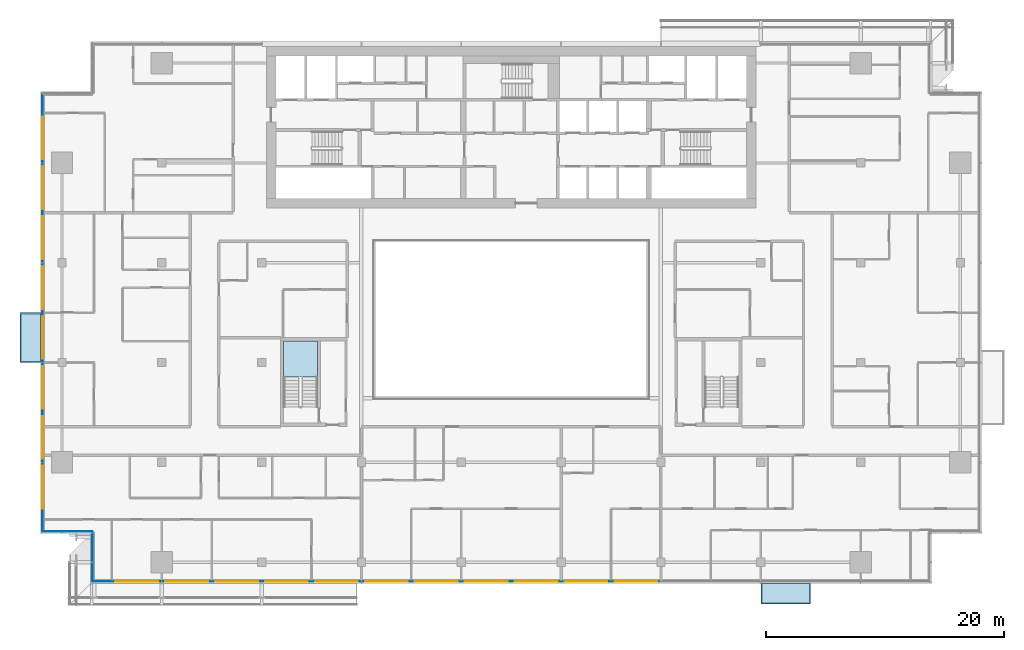
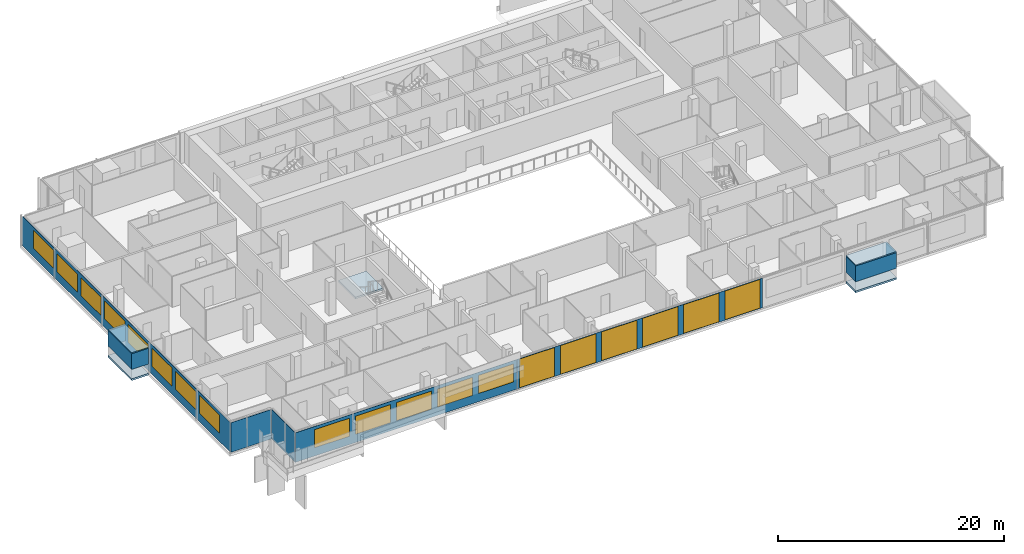
# One storey, part 14 of 30: 19 windows, 9 plates, 3 slabs, 19 openings, 5 elements without a shape of their own.
"""IFC4 building model written with IfcOpenShell, lengths in metres."""

from ifc_helpers import new_model, si_unit, direction, frame, frame_2d, origin, place, context, subcontext, project, spatial, polyline, rectangle, outline, extrude, material, layer, layer_set, type_object, element, fill, aggregate, save


model = new_model("IFC4")

# Units and contexts
model_context = context("Model", 3, precision=1e-05, world=origin(), true_north=direction((0.0, 1.0)))
body_context = subcontext(model_context, "Body", "Model", "MODEL_VIEW")
ifc_project = project(units=[si_unit("LENGTHUNIT", "METRE"), si_unit("AREAUNIT", "SQUARE_METRE"), si_unit("VOLUMEUNIT", "CUBIC_METRE"), si_unit("PLANEANGLEUNIT", "RADIAN"), si_unit("MASSUNIT", "GRAM", prefix="KILO")], contexts=[model_context])

# Site, building, storey
site_placement = place(None, origin())
site = spatial("IfcSite", under=ifc_project, at=site_placement, CompositionType="ELEMENT")
building_placement = place(site_placement, origin())
building = spatial("IfcBuilding", under=site, at=building_placement, Name="Saffron Gate Tower", CompositionType="ELEMENT")
storey_placement = place(building_placement, frame((0.0, 0.0, 169.050048828125)))
storey = spatial("IfcBuildingStorey", under=building, at=storey_placement, Name="L41", CompositionType="ELEMENT", Elevation=169.050048828125)

# Curtain wall, plates, openings, windows
ifc_material_1 = material(Name="Aluminium, bronze anodised", Category="aluminium")
curtain_wall_type_1 = type_object("IfcCurtainWallType", Name="CWS1 curtain wall front facade", PredefinedType="NOTDEFINED", material=ifc_material_1)
curtain_wall_1_placement = place(storey_placement, origin())
curtain_wall_1 = element("IfcCurtainWall", 1, at=curtain_wall_1_placement, inside=storey, type_object=curtain_wall_type_1, Name="CWS1 run 1", PredefinedType="NOTDEFINED")
ifc_material_2 = material(Name="Clear low-iron laminated glass", Category="glass")
ifc_layer_1 = layer(ifc_material_2, 0.028076171875)
ifc_layer_set_1 = layer_set([ifc_layer_1], Name="CWS1 clear glass")
plate_type_1 = type_object("IfcPlateType", Name="CWS1 clear glass", PredefinedType="CURTAIN_PANEL", material=ifc_layer_set_1)
plate_1_placement = place(storey_placement, frame((75.030029296875, 30.174072265625, 0.0), z_axis=(0.0, 0.0, 1.0), x_axis=(1.0, 0.0, 0.0)))
plate_1 = element("IfcPlate", 2, at=plate_1_placement, type_object=plate_type_1, Name="CWS1 clear glass panel", PredefinedType="CURTAIN_PANEL", context=body_context, shape_type="SweptSolid", body=[
    extrude(rectangle(XDim=25.139892578125, YDim=0.028076171875, at=frame_2d((12.56982421875, 0.0))), origin(), (0.0, 0.0, 1.0), 3.199951171875),
])
opening_1_placement = place(plate_1_placement, frame((0.27001953125, 0.0, 0.050048828125)))
opening_1 = element("IfcOpeningElement", 3, at=opening_1_placement, cuts=plate_1, Name="Opening WA", PredefinedType="OPENING", context=body_context, shape_type="SweptSolid", body=[
    extrude(rectangle(XDim=3.60009765625, YDim=3.10009765625, at=frame_2d((1.800048828125, 1.550048828125))), frame((0.0, 0.02392578125, 0.0), z_axis=(0.0, -1.0, 0.0), x_axis=(1.0, 0.0, 0.0)), (0.0, 0.0, 1.0), 0.048095703125),
])
opening_2_placement = place(plate_1_placement, frame((4.469970703125, 0.0, 0.050048828125)))
opening_2 = element("IfcOpeningElement", 4, at=opening_2_placement, cuts=plate_1, Name="Opening WA", PredefinedType="OPENING", context=body_context, shape_type="SweptSolid", body=[
    extrude(rectangle(XDim=3.60009765625, YDim=3.10009765625, at=frame_2d((1.800048828125, 1.550048828125))), frame((0.0, 0.02392578125, 0.0), z_axis=(0.0, -1.0, 0.0), x_axis=(1.0, 0.0, 0.0)), (0.0, 0.0, 1.0), 0.048095703125),
])
opening_3_placement = place(plate_1_placement, frame((8.669921875, 0.0, 0.050048828125)))
opening_3 = element("IfcOpeningElement", 5, at=opening_3_placement, cuts=plate_1, Name="Opening WA", PredefinedType="OPENING", context=body_context, shape_type="SweptSolid", body=[
    extrude(rectangle(XDim=3.60009765625, YDim=3.10009765625, at=frame_2d((1.800048828125, 1.550048828125))), frame((0.0, 0.02392578125, 0.0), z_axis=(0.0, -1.0, 0.0), x_axis=(1.0, 0.0, 0.0)), (0.0, 0.0, 1.0), 0.048095703125),
])
opening_4_placement = place(plate_1_placement, frame((12.8701171875, 0.0, 0.050048828125)))
opening_4 = element("IfcOpeningElement", 6, at=opening_4_placement, cuts=plate_1, Name="Opening WA", PredefinedType="OPENING", context=body_context, shape_type="SweptSolid", body=[
    extrude(rectangle(XDim=3.60009765625, YDim=3.10009765625, at=frame_2d((1.800048828125, 1.550048828125))), frame((0.0, 0.02392578125, 0.0), z_axis=(0.0, -1.0, 0.0), x_axis=(1.0, 0.0, 0.0)), (0.0, 0.0, 1.0), 0.048095703125),
])
opening_5_placement = place(plate_1_placement, frame((17.070068359375, 0.0, 0.050048828125)))
opening_5 = element("IfcOpeningElement", 7, at=opening_5_placement, cuts=plate_1, Name="Opening WA", PredefinedType="OPENING", context=body_context, shape_type="SweptSolid", body=[
    extrude(rectangle(XDim=3.60009765625, YDim=3.10009765625, at=frame_2d((1.800048828125, 1.550048828125))), frame((0.0, 0.02392578125, 0.0), z_axis=(0.0, -1.0, 0.0), x_axis=(1.0, 0.0, 0.0)), (0.0, 0.0, 1.0), 0.048095703125),
])
opening_6_placement = place(plate_1_placement, frame((21.27001953125, 0.0, 0.050048828125)))
opening_6 = element("IfcOpeningElement", 8, at=opening_6_placement, cuts=plate_1, Name="Opening WA", PredefinedType="OPENING", context=body_context, shape_type="SweptSolid", body=[
    extrude(rectangle(XDim=3.60009765625, YDim=3.10009765625, at=frame_2d((1.800048828125, 1.550048828125))), frame((0.0, 0.02392578125, 0.0), z_axis=(0.0, -1.0, 0.0), x_axis=(1.0, 0.0, 0.0)), (0.0, 0.0, 1.0), 0.048095703125),
])
ifc_material_3 = material(Name="Clear low-iron laminated glass in bronze frame", Category="glass")
ifc_layer_2 = layer(ifc_material_3, 0.06005859375)
ifc_layer_set_2 = layer_set([ifc_layer_2], Name="WA operable atrium unit 3600x3100")
window_type_1 = type_object("IfcWindowType", Name="WA operable atrium unit 3600x3100", PartitioningType="DOUBLE_PANEL_HORIZONTAL", PredefinedType="WINDOW", material=ifc_layer_set_2)
window_1_placement = place(opening_1_placement, origin())
window_1 = element("IfcWindow", 9, at=window_1_placement, type_object=window_type_1, Name="WA operable atrium unit", OverallHeight=3.10009765625, OverallWidth=3.60009765625, PartitioningType="SINGLE_PANEL", PredefinedType="WINDOW", context=body_context, shape_type="SweptSolid", body=[
    extrude(rectangle(XDim=3.60009765625, YDim=3.10009765625, at=frame_2d((1.800048828125, 1.550048828125))), frame((0.0, 0.013671875, 0.0), z_axis=(0.0, -1.0, 0.0), x_axis=(1.0, 0.0, 0.0)), (0.0, 0.0, 1.0), 0.027587890625),
])
fill(opening_1, window_1)
window_2_placement = place(opening_2_placement, origin())
window_2 = element("IfcWindow", 10, at=window_2_placement, type_object=window_type_1, Name="WA operable atrium unit", OverallHeight=3.10009765625, OverallWidth=3.60009765625, PartitioningType="SINGLE_PANEL", PredefinedType="WINDOW", context=body_context, shape_type="SweptSolid", body=[
    extrude(rectangle(XDim=3.60009765625, YDim=3.10009765625, at=frame_2d((1.800048828125, 1.550048828125))), frame((0.0, 0.013671875, 0.0), z_axis=(0.0, -1.0, 0.0), x_axis=(1.0, 0.0, 0.0)), (0.0, 0.0, 1.0), 0.027587890625),
])
fill(opening_2, window_2)
window_3_placement = place(opening_3_placement, origin())
window_3 = element("IfcWindow", 11, at=window_3_placement, type_object=window_type_1, Name="WA operable atrium unit", OverallHeight=3.10009765625, OverallWidth=3.60009765625, PartitioningType="SINGLE_PANEL", PredefinedType="WINDOW", context=body_context, shape_type="SweptSolid", body=[
    extrude(rectangle(XDim=3.60009765625, YDim=3.10009765625, at=frame_2d((1.800048828125, 1.550048828125))), frame((0.0, 0.013671875, 0.0), z_axis=(0.0, -1.0, 0.0), x_axis=(1.0, 0.0, 0.0)), (0.0, 0.0, 1.0), 0.027587890625),
])
fill(opening_3, window_3)
window_4_placement = place(opening_4_placement, origin())
window_4 = element("IfcWindow", 12, at=window_4_placement, type_object=window_type_1, Name="WA operable atrium unit", OverallHeight=3.10009765625, OverallWidth=3.60009765625, PartitioningType="SINGLE_PANEL", PredefinedType="WINDOW", context=body_context, shape_type="SweptSolid", body=[
    extrude(rectangle(XDim=3.60009765625, YDim=3.10009765625, at=frame_2d((1.800048828125, 1.550048828125))), frame((0.0, 0.013671875, 0.0), z_axis=(0.0, -1.0, 0.0), x_axis=(1.0, 0.0, 0.0)), (0.0, 0.0, 1.0), 0.027587890625),
])
fill(opening_4, window_4)
window_5_placement = place(opening_5_placement, origin())
window_5 = element("IfcWindow", 13, at=window_5_placement, type_object=window_type_1, Name="WA operable atrium unit", OverallHeight=3.10009765625, OverallWidth=3.60009765625, PartitioningType="SINGLE_PANEL", PredefinedType="WINDOW", context=body_context, shape_type="SweptSolid", body=[
    extrude(rectangle(XDim=3.60009765625, YDim=3.10009765625, at=frame_2d((1.800048828125, 1.550048828125))), frame((0.0, 0.013671875, 0.0), z_axis=(0.0, -1.0, 0.0), x_axis=(1.0, 0.0, 0.0)), (0.0, 0.0, 1.0), 0.027587890625),
])
fill(opening_5, window_5)
window_6_placement = place(opening_6_placement, origin())
window_6 = element("IfcWindow", 14, at=window_6_placement, type_object=window_type_1, Name="WA operable atrium unit", OverallHeight=3.10009765625, OverallWidth=3.60009765625, PartitioningType="SINGLE_PANEL", PredefinedType="WINDOW", context=body_context, shape_type="SweptSolid", body=[
    extrude(rectangle(XDim=3.60009765625, YDim=3.10009765625, at=frame_2d((1.800048828125, 1.550048828125))), frame((0.0, 0.013671875, 0.0), z_axis=(0.0, -1.0, 0.0), x_axis=(1.0, 0.0, 0.0)), (0.0, 0.0, 1.0), 0.027587890625),
])
fill(opening_6, window_6)
ifc_material_4 = material(Name="Fritted bronze-tinted laminated glass", Category="glass")
ifc_layer_3 = layer(ifc_material_4, 0.028076171875)
ifc_layer_set_3 = layer_set([ifc_layer_3], Name="CWS1 fixed glass")
plate_type_2 = type_object("IfcPlateType", Name="CWS1 fixed glass", PredefinedType="CURTAIN_PANEL", material=ifc_layer_set_3)
plate_2_placement = place(storey_placement, frame((52.387939453125, 30.174072265625, 0.0), z_axis=(0.0, 0.0, 1.0), x_axis=(1.0, 0.0, 0.0)))
plate_2 = element("IfcPlate", 15, at=plate_2_placement, type_object=plate_type_2, Name="CWS1 glass panel", PredefinedType="CURTAIN_PANEL", context=body_context, shape_type="SweptSolid", body=[
    extrude(rectangle(XDim=22.64208984375, YDim=0.028076171875, at=frame_2d((11.321044921875, 0.0))), origin(), (0.0, 0.0, 1.0), 3.199951171875),
])
opening_7_placement = place(plate_2_placement, frame((1.912109375, 0.0, 0.89990234375)))
opening_7 = element("IfcOpeningElement", 16, at=opening_7_placement, cuts=plate_2, Name="Opening W1", PredefinedType="OPENING", context=body_context, shape_type="SweptSolid", body=[
    extrude(rectangle(XDim=3.60009765625, YDim=1.949951171875, at=frame_2d((1.800048828125, 0.97509765625))), frame((0.0, 0.02392578125, 0.0), z_axis=(0.0, -1.0, 0.0), x_axis=(1.0, 0.0, 0.0)), (0.0, 0.0, 1.0), 0.048095703125),
])
opening_8_placement = place(plate_2_placement, frame((6.112060546875, 0.0, 0.89990234375)))
opening_8 = element("IfcOpeningElement", 17, at=opening_8_placement, cuts=plate_2, Name="Opening W1", PredefinedType="OPENING", context=body_context, shape_type="SweptSolid", body=[
    extrude(rectangle(XDim=3.60009765625, YDim=1.949951171875, at=frame_2d((1.800048828125, 0.97509765625))), frame((0.0, 0.02392578125, 0.0), z_axis=(0.0, -1.0, 0.0), x_axis=(1.0, 0.0, 0.0)), (0.0, 0.0, 1.0), 0.048095703125),
])
opening_9_placement = place(plate_2_placement, frame((10.31201171875, 0.0, 0.89990234375)))
opening_9 = element("IfcOpeningElement", 18, at=opening_9_placement, cuts=plate_2, Name="Opening W1", PredefinedType="OPENING", context=body_context, shape_type="SweptSolid", body=[
    extrude(rectangle(XDim=3.60009765625, YDim=1.949951171875, at=frame_2d((1.800048828125, 0.97509765625))), frame((0.0, 0.02392578125, 0.0), z_axis=(0.0, -1.0, 0.0), x_axis=(1.0, 0.0, 0.0)), (0.0, 0.0, 1.0), 0.048095703125),
])
opening_10_placement = place(plate_2_placement, frame((14.511962890625, 0.0, 0.89990234375)))
opening_10 = element("IfcOpeningElement", 19, at=opening_10_placement, cuts=plate_2, Name="Opening W1", PredefinedType="OPENING", context=body_context, shape_type="SweptSolid", body=[
    extrude(rectangle(XDim=3.60009765625, YDim=1.949951171875, at=frame_2d((1.800048828125, 0.97509765625))), frame((0.0, 0.02392578125, 0.0), z_axis=(0.0, -1.0, 0.0), x_axis=(1.0, 0.0, 0.0)), (0.0, 0.0, 1.0), 0.048095703125),
])
opening_11_placement = place(plate_2_placement, frame((18.7119140625, 0.0, 0.89990234375)))
opening_11 = element("IfcOpeningElement", 20, at=opening_11_placement, cuts=plate_2, Name="Opening W1", PredefinedType="OPENING", context=body_context, shape_type="SweptSolid", body=[
    extrude(rectangle(XDim=3.60009765625, YDim=1.949951171875, at=frame_2d((1.800048828125, 0.97509765625))), frame((0.0, 0.02392578125, 0.0), z_axis=(0.0, -1.0, 0.0), x_axis=(1.0, 0.0, 0.0)), (0.0, 0.0, 1.0), 0.048095703125),
])
ifc_material_5 = material(Name="Fritted bronze-tinted laminated glass in bronze frame", Category="glass")
ifc_layer_4 = layer(ifc_material_5, 0.06005859375)
ifc_layer_set_4 = layer_set([ifc_layer_4], Name="W1 operable panel 3600x1950")
window_type_2 = type_object("IfcWindowType", Name="W1 operable panel 3600x1950", PartitioningType="DOUBLE_PANEL_HORIZONTAL", PredefinedType="WINDOW", material=ifc_layer_set_4)
window_7_placement = place(opening_7_placement, origin())
window_7 = element("IfcWindow", 21, at=window_7_placement, type_object=window_type_2, Name="W1 operable panel", OverallHeight=1.949951171875, OverallWidth=3.60009765625, PartitioningType="SINGLE_PANEL", PredefinedType="WINDOW", context=body_context, shape_type="SweptSolid", body=[
    extrude(rectangle(XDim=3.60009765625, YDim=1.949951171875, at=frame_2d((1.800048828125, 0.97509765625))), frame((0.0, 0.013671875, 0.0), z_axis=(0.0, -1.0, 0.0), x_axis=(1.0, 0.0, 0.0)), (0.0, 0.0, 1.0), 0.027587890625),
])
fill(opening_7, window_7)
window_8_placement = place(opening_8_placement, origin())
window_8 = element("IfcWindow", 22, at=window_8_placement, type_object=window_type_2, Name="W1 operable panel", OverallHeight=1.949951171875, OverallWidth=3.60009765625, PartitioningType="SINGLE_PANEL", PredefinedType="WINDOW", context=body_context, shape_type="SweptSolid", body=[
    extrude(rectangle(XDim=3.60009765625, YDim=1.949951171875, at=frame_2d((1.800048828125, 0.97509765625))), frame((0.0, 0.013671875, 0.0), z_axis=(0.0, -1.0, 0.0), x_axis=(1.0, 0.0, 0.0)), (0.0, 0.0, 1.0), 0.027587890625),
])
fill(opening_8, window_8)
window_9_placement = place(opening_9_placement, origin())
window_9 = element("IfcWindow", 23, at=window_9_placement, type_object=window_type_2, Name="W1 operable panel", OverallHeight=1.949951171875, OverallWidth=3.60009765625, PartitioningType="SINGLE_PANEL", PredefinedType="WINDOW", context=body_context, shape_type="SweptSolid", body=[
    extrude(rectangle(XDim=3.60009765625, YDim=1.949951171875, at=frame_2d((1.800048828125, 0.97509765625))), frame((0.0, 0.013671875, 0.0), z_axis=(0.0, -1.0, 0.0), x_axis=(1.0, 0.0, 0.0)), (0.0, 0.0, 1.0), 0.027587890625),
])
fill(opening_9, window_9)
window_10_placement = place(opening_10_placement, origin())
window_10 = element("IfcWindow", 24, at=window_10_placement, type_object=window_type_2, Name="W1 operable panel", OverallHeight=1.949951171875, OverallWidth=3.60009765625, PartitioningType="SINGLE_PANEL", PredefinedType="WINDOW", context=body_context, shape_type="SweptSolid", body=[
    extrude(rectangle(XDim=3.60009765625, YDim=1.949951171875, at=frame_2d((1.800048828125, 0.97509765625))), frame((0.0, 0.013671875, 0.0), z_axis=(0.0, -1.0, 0.0), x_axis=(1.0, 0.0, 0.0)), (0.0, 0.0, 1.0), 0.027587890625),
])
fill(opening_10, window_10)
window_11_placement = place(opening_11_placement, origin())
window_11 = element("IfcWindow", 25, at=window_11_placement, type_object=window_type_2, Name="W1 operable panel", OverallHeight=1.949951171875, OverallWidth=3.60009765625, PartitioningType="SINGLE_PANEL", PredefinedType="WINDOW", context=body_context, shape_type="SweptSolid", body=[
    extrude(rectangle(XDim=3.60009765625, YDim=1.949951171875, at=frame_2d((1.800048828125, 0.97509765625))), frame((0.0, 0.013671875, 0.0), z_axis=(0.0, -1.0, 0.0), x_axis=(1.0, 0.0, 0.0)), (0.0, 0.0, 1.0), 0.027587890625),
])
fill(opening_11, window_11)
aggregate(curtain_wall_1, [plate_2, plate_1, window_7, window_8, window_9, window_10, window_11, window_1, window_2, window_3, window_4, window_5, window_6])

# Curtain wall, plate, openings, windows
curtain_wall_type_2 = type_object("IfcCurtainWallType", Name="CWS2 curtain wall side facades", PredefinedType="NOTDEFINED", material=ifc_material_1)
curtain_wall_2_placement = place(storey_placement, origin())
curtain_wall_2 = element("IfcCurtainWall", 26, at=curtain_wall_2_placement, inside=storey, type_object=curtain_wall_type_2, Name="CWS2 run 10", PredefinedType="NOTDEFINED")
ifc_layer_5 = layer(ifc_material_4, 0.028076171875)
ifc_layer_set_5 = layer_set([ifc_layer_5], Name="CWS2 fixed glass")
plate_type_3 = type_object("IfcPlateType", Name="CWS2 fixed glass", PredefinedType="CURTAIN_PANEL", material=ifc_layer_set_5)
plate_3_placement = place(storey_placement, frame((48.174072265625, 71.2119140625, 0.0), z_axis=(0.0, 0.0, 1.0), x_axis=(0.0, -1.0, 0.0)))
plate_3 = element("IfcPlate", 27, at=plate_3_placement, type_object=plate_type_3, Name="CWS2 glass panel", PredefinedType="CURTAIN_PANEL", context=body_context, shape_type="SweptSolid", body=[
    extrude(rectangle(XDim=36.823974609375, YDim=0.028076171875, at=frame_2d((18.412109375, 0.0))), origin(), (0.0, 0.0, 1.0), 3.199951171875),
])
opening_12_placement = place(plate_3_placement, frame((1.912109375, 0.0, 0.89990234375)))
opening_12 = element("IfcOpeningElement", 28, at=opening_12_placement, cuts=plate_3, Name="Opening W1", PredefinedType="OPENING", context=body_context, shape_type="SweptSolid", body=[
    extrude(rectangle(XDim=3.60009765625, YDim=1.949951171875, at=frame_2d((1.800048828125, 0.97509765625))), frame((0.0, 0.02392578125, 0.0), z_axis=(0.0, -1.0, 0.0), x_axis=(1.0, 0.0, 0.0)), (0.0, 0.0, 1.0), 0.048095703125),
])
opening_13_placement = place(plate_3_placement, frame((6.112060546875, 0.0, 0.89990234375)))
opening_13 = element("IfcOpeningElement", 29, at=opening_13_placement, cuts=plate_3, Name="Opening W1", PredefinedType="OPENING", context=body_context, shape_type="SweptSolid", body=[
    extrude(rectangle(XDim=3.60009765625, YDim=1.949951171875, at=frame_2d((1.800048828125, 0.97509765625))), frame((0.0, 0.02392578125, 0.0), z_axis=(0.0, -1.0, 0.0), x_axis=(1.0, 0.0, 0.0)), (0.0, 0.0, 1.0), 0.048095703125),
])
opening_14_placement = place(plate_3_placement, frame((10.31201171875, 0.0, 0.89990234375)))
opening_14 = element("IfcOpeningElement", 30, at=opening_14_placement, cuts=plate_3, Name="Opening W1", PredefinedType="OPENING", context=body_context, shape_type="SweptSolid", body=[
    extrude(rectangle(XDim=3.60009765625, YDim=1.949951171875, at=frame_2d((1.800048828125, 0.97509765625))), frame((0.0, 0.02392578125, 0.0), z_axis=(0.0, -1.0, 0.0), x_axis=(1.0, 0.0, 0.0)), (0.0, 0.0, 1.0), 0.048095703125),
])
opening_15_placement = place(plate_3_placement, frame((14.511962890625, 0.0, 0.89990234375)))
opening_15 = element("IfcOpeningElement", 31, at=opening_15_placement, cuts=plate_3, Name="Opening W1", PredefinedType="OPENING", context=body_context, shape_type="SweptSolid", body=[
    extrude(rectangle(XDim=3.60009765625, YDim=1.949951171875, at=frame_2d((1.800048828125, 0.97509765625))), frame((0.0, 0.02392578125, 0.0), z_axis=(0.0, -1.0, 0.0), x_axis=(1.0, 0.0, 0.0)), (0.0, 0.0, 1.0), 0.048095703125),
])
opening_16_placement = place(plate_3_placement, frame((18.7119140625, 0.0, 0.89990234375)))
opening_16 = element("IfcOpeningElement", 32, at=opening_16_placement, cuts=plate_3, Name="Opening W1", PredefinedType="OPENING", context=body_context, shape_type="SweptSolid", body=[
    extrude(rectangle(XDim=3.60009765625, YDim=1.949951171875, at=frame_2d((1.800048828125, 0.97509765625))), frame((0.0, 0.02392578125, 0.0), z_axis=(0.0, -1.0, 0.0), x_axis=(1.0, 0.0, 0.0)), (0.0, 0.0, 1.0), 0.048095703125),
])
opening_17_placement = place(plate_3_placement, frame((22.912109375, 0.0, 0.89990234375)))
opening_17 = element("IfcOpeningElement", 33, at=opening_17_placement, cuts=plate_3, Name="Opening W1", PredefinedType="OPENING", context=body_context, shape_type="SweptSolid", body=[
    extrude(rectangle(XDim=3.60009765625, YDim=1.949951171875, at=frame_2d((1.800048828125, 0.97509765625))), frame((0.0, 0.02392578125, 0.0), z_axis=(0.0, -1.0, 0.0), x_axis=(1.0, 0.0, 0.0)), (0.0, 0.0, 1.0), 0.048095703125),
])
opening_18_placement = place(plate_3_placement, frame((27.112060546875, 0.0, 0.89990234375)))
opening_18 = element("IfcOpeningElement", 34, at=opening_18_placement, cuts=plate_3, Name="Opening W1", PredefinedType="OPENING", context=body_context, shape_type="SweptSolid", body=[
    extrude(rectangle(XDim=3.60009765625, YDim=1.949951171875, at=frame_2d((1.800048828125, 0.97509765625))), frame((0.0, 0.02392578125, 0.0), z_axis=(0.0, -1.0, 0.0), x_axis=(1.0, 0.0, 0.0)), (0.0, 0.0, 1.0), 0.048095703125),
])
opening_19_placement = place(plate_3_placement, frame((31.31201171875, 0.0, 0.89990234375)))
opening_19 = element("IfcOpeningElement", 35, at=opening_19_placement, cuts=plate_3, Name="Opening W1", PredefinedType="OPENING", context=body_context, shape_type="SweptSolid", body=[
    extrude(rectangle(XDim=3.60009765625, YDim=1.949951171875, at=frame_2d((1.800048828125, 0.97509765625))), frame((0.0, 0.02392578125, 0.0), z_axis=(0.0, -1.0, 0.0), x_axis=(1.0, 0.0, 0.0)), (0.0, 0.0, 1.0), 0.048095703125),
])
window_12_placement = place(opening_12_placement, origin())
window_12 = element("IfcWindow", 36, at=window_12_placement, type_object=window_type_2, Name="W1 operable panel", OverallHeight=1.949951171875, OverallWidth=3.60009765625, PartitioningType="SINGLE_PANEL", PredefinedType="WINDOW", context=body_context, shape_type="SweptSolid", body=[
    extrude(rectangle(XDim=3.60009765625, YDim=1.949951171875, at=frame_2d((1.800048828125, 0.97509765625))), frame((0.0, 0.013671875, 0.0), z_axis=(0.0, -1.0, 0.0), x_axis=(1.0, 0.0, 0.0)), (0.0, 0.0, 1.0), 0.027587890625),
])
fill(opening_12, window_12)
window_13_placement = place(opening_13_placement, origin())
window_13 = element("IfcWindow", 37, at=window_13_placement, type_object=window_type_2, Name="W1 operable panel", OverallHeight=1.949951171875, OverallWidth=3.60009765625, PartitioningType="SINGLE_PANEL", PredefinedType="WINDOW", context=body_context, shape_type="SweptSolid", body=[
    extrude(rectangle(XDim=3.60009765625, YDim=1.949951171875, at=frame_2d((1.800048828125, 0.97509765625))), frame((0.0, 0.013671875, 0.0), z_axis=(0.0, -1.0, 0.0), x_axis=(1.0, 0.0, 0.0)), (0.0, 0.0, 1.0), 0.027587890625),
])
fill(opening_13, window_13)
window_14_placement = place(opening_14_placement, origin())
window_14 = element("IfcWindow", 38, at=window_14_placement, type_object=window_type_2, Name="W1 operable panel", OverallHeight=1.949951171875, OverallWidth=3.60009765625, PartitioningType="SINGLE_PANEL", PredefinedType="WINDOW", context=body_context, shape_type="SweptSolid", body=[
    extrude(rectangle(XDim=3.60009765625, YDim=1.949951171875, at=frame_2d((1.800048828125, 0.97509765625))), frame((0.0, 0.013671875, 0.0), z_axis=(0.0, -1.0, 0.0), x_axis=(1.0, 0.0, 0.0)), (0.0, 0.0, 1.0), 0.027587890625),
])
fill(opening_14, window_14)
window_15_placement = place(opening_15_placement, origin())
window_15 = element("IfcWindow", 39, at=window_15_placement, type_object=window_type_2, Name="W1 operable panel", OverallHeight=1.949951171875, OverallWidth=3.60009765625, PartitioningType="SINGLE_PANEL", PredefinedType="WINDOW", context=body_context, shape_type="SweptSolid", body=[
    extrude(rectangle(XDim=3.60009765625, YDim=1.949951171875, at=frame_2d((1.800048828125, 0.97509765625))), frame((0.0, 0.013671875, 0.0), z_axis=(0.0, -1.0, 0.0), x_axis=(1.0, 0.0, 0.0)), (0.0, 0.0, 1.0), 0.027587890625),
])
fill(opening_15, window_15)
window_16_placement = place(opening_16_placement, origin())
window_16 = element("IfcWindow", 40, at=window_16_placement, type_object=window_type_2, Name="W1 operable panel", OverallHeight=1.949951171875, OverallWidth=3.60009765625, PartitioningType="SINGLE_PANEL", PredefinedType="WINDOW", context=body_context, shape_type="SweptSolid", body=[
    extrude(rectangle(XDim=3.60009765625, YDim=1.949951171875, at=frame_2d((1.800048828125, 0.97509765625))), frame((0.0, 0.013671875, 0.0), z_axis=(0.0, -1.0, 0.0), x_axis=(1.0, 0.0, 0.0)), (0.0, 0.0, 1.0), 0.027587890625),
])
fill(opening_16, window_16)
window_17_placement = place(opening_17_placement, origin())
window_17 = element("IfcWindow", 41, at=window_17_placement, type_object=window_type_2, Name="W1 operable panel", OverallHeight=1.949951171875, OverallWidth=3.60009765625, PartitioningType="SINGLE_PANEL", PredefinedType="WINDOW", context=body_context, shape_type="SweptSolid", body=[
    extrude(rectangle(XDim=3.60009765625, YDim=1.949951171875, at=frame_2d((1.800048828125, 0.97509765625))), frame((0.0, 0.013671875, 0.0), z_axis=(0.0, -1.0, 0.0), x_axis=(1.0, 0.0, 0.0)), (0.0, 0.0, 1.0), 0.027587890625),
])
fill(opening_17, window_17)
window_18_placement = place(opening_18_placement, origin())
window_18 = element("IfcWindow", 42, at=window_18_placement, type_object=window_type_2, Name="W1 operable panel", OverallHeight=1.949951171875, OverallWidth=3.60009765625, PartitioningType="SINGLE_PANEL", PredefinedType="WINDOW", context=body_context, shape_type="SweptSolid", body=[
    extrude(rectangle(XDim=3.60009765625, YDim=1.949951171875, at=frame_2d((1.800048828125, 0.97509765625))), frame((0.0, 0.013671875, 0.0), z_axis=(0.0, -1.0, 0.0), x_axis=(1.0, 0.0, 0.0)), (0.0, 0.0, 1.0), 0.027587890625),
])
fill(opening_18, window_18)
window_19_placement = place(opening_19_placement, origin())
window_19 = element("IfcWindow", 43, at=window_19_placement, type_object=window_type_2, Name="W1 operable panel", OverallHeight=1.949951171875, OverallWidth=3.60009765625, PartitioningType="SINGLE_PANEL", PredefinedType="WINDOW", context=body_context, shape_type="SweptSolid", body=[
    extrude(rectangle(XDim=3.60009765625, YDim=1.949951171875, at=frame_2d((1.800048828125, 0.97509765625))), frame((0.0, 0.013671875, 0.0), z_axis=(0.0, -1.0, 0.0), x_axis=(1.0, 0.0, 0.0)), (0.0, 0.0, 1.0), 0.027587890625),
])
fill(opening_19, window_19)
aggregate(curtain_wall_2, [plate_3, window_12, window_13, window_14, window_15, window_16, window_17, window_18, window_19])

# Curtain wall, plate
curtain_wall_type_3 = type_object("IfcCurtainWallType", Name="CWS4 curtain wall corner returns", PredefinedType="NOTDEFINED", material=ifc_material_1)
curtain_wall_3_placement = place(storey_placement, origin())
curtain_wall_3 = element("IfcCurtainWall", 44, at=curtain_wall_3_placement, inside=storey, type_object=curtain_wall_type_3, Name="CWS4 run 11", PredefinedType="NOTDEFINED")
ifc_layer_6 = layer(ifc_material_4, 0.028076171875)
ifc_layer_set_6 = layer_set([ifc_layer_6], Name="CWS4 fixed glass")
plate_type_4 = type_object("IfcPlateType", Name="CWS4 fixed glass", PredefinedType="CURTAIN_PANEL", material=ifc_layer_set_6)
plate_4_placement = place(storey_placement, frame((48.18798828125, 34.3740234375, 0.0), z_axis=(0.0, 0.0, 1.0), x_axis=(1.0, 0.0, 0.0)))
plate_4 = element("IfcPlate", 45, at=plate_4_placement, type_object=plate_type_4, Name="CWS4 glass panel", PredefinedType="CURTAIN_PANEL", context=body_context, shape_type="SweptSolid", body=[
    extrude(rectangle(XDim=4.172119140625, YDim=0.028076171875, at=frame_2d((2.0859375, 0.0))), origin(), (0.0, 0.0, 1.0), 3.199951171875),
])
aggregate(curtain_wall_3, [plate_4])

curtain_wall_4_placement = place(storey_placement, origin())
curtain_wall_4 = element("IfcCurtainWall", 46, at=curtain_wall_4_placement, inside=storey, type_object=curtain_wall_type_3, Name="CWS4 run 12", PredefinedType="NOTDEFINED")
plate_5_placement = place(storey_placement, frame((52.3740234375, 34.360107421875, 0.0), z_axis=(0.0, 0.0, 1.0), x_axis=(0.0, -1.0, 0.0)))
plate_5 = element("IfcPlate", 47, at=plate_5_placement, type_object=plate_type_4, Name="CWS4 glass panel", PredefinedType="CURTAIN_PANEL", context=body_context, shape_type="SweptSolid", body=[
    extrude(rectangle(XDim=4.172119140625, YDim=0.028076171875, at=frame_2d((2.0859375, 0.0))), origin(), (0.0, 0.0, 1.0), 3.199951171875),
])
aggregate(curtain_wall_4, [plate_5])

# Stair, slab
ifc_material_6 = material(Name="Concrete C40", Category="concrete")
stair_type = type_object("IfcStairType", Name="ST7 Stair 1350 wide, 20 risers of 180", PredefinedType="HALF_TURN_STAIR", material=ifc_material_6)
stair_placement = place(storey_placement, origin())
stair = element("IfcStair", 48, at=stair_placement, inside=storey, type_object=stair_type, Name="L41 Exit stair D", PredefinedType="HALF_TURN_STAIR")
ifc_layer_7 = layer(ifc_material_6, 0.199951171875)
ifc_layer_set_7 = layer_set([ifc_layer_7], Name="SL1 Stair landing 200")
slab_type_1 = type_object("IfcSlabType", Name="SL1 Stair landing 200", PredefinedType="LANDING", material=ifc_layer_set_7)
slab_1_placement = place(storey_placement, frame((0.0, 0.0, 1.599853515625)))
slab_1 = element("IfcSlab", 49, at=slab_1_placement, type_object=slab_type_1, Name="ST-D landing 1", PredefinedType="LANDING", context=body_context, shape_type="SweptSolid", body=[
    extrude(outline(polyline([(71.300048828125, 47.3701171875), (71.300048828125, 50.39990234375), (68.449951171875, 50.39990234375), (68.449951171875, 47.3701171875), (71.300048828125, 47.3701171875)])), origin(), (0.0, 0.0, 1.0), 0.2001953125),
])
aggregate(stair, [slab_1])

# Slabs
ifc_material_7 = material(Name="Timber deck on bronze frame", Category="wood")
ifc_layer_8 = layer(ifc_material_7, 0.199951171875)
ifc_layer_set_8 = layer_set([ifc_layer_8], Name="WB1 box floor")
slab_type_2 = type_object("IfcSlabType", Name="WB1 box floor", PredefinedType="FLOOR", material=ifc_layer_set_8)
slab_2_placement = place(storey_placement, frame((0.0, 0.0, -0.199951171875)))
element("IfcSlab", 50, at=slab_2_placement, inside=storey, type_object=slab_type_2, Name="WINDOW BOX floor", PredefinedType="FLOOR", context=body_context, shape_type="SweptSolid", body=[
    extrude(outline(polyline([(108.60009765625, 30.0), (112.800048828125, 30.0), (112.800048828125, 28.26708984375), (108.60009765625, 28.26708984375), (108.60009765625, 30.0)])), origin(), (0.0, 0.0, 1.0), 0.199951171875),
])
slab_3_placement = place(storey_placement, frame((0.0, 0.0, -0.199951171875)))
element("IfcSlab", 51, at=slab_3_placement, inside=storey, type_object=slab_type_2, Name="WINDOW BOX floor", PredefinedType="FLOOR", context=body_context, shape_type="SweptSolid", body=[
    extrude(outline(polyline([(48.0, 52.800048828125), (48.0, 48.60009765625), (46.26708984375, 48.60009765625), (46.26708984375, 52.800048828125), (48.0, 52.800048828125)])), origin(), (0.0, 0.0, 1.0), 0.199951171875),
])

# Plates
ifc_layer_9 = layer(ifc_material_1, 0.1201171875)
ifc_layer_set_9 = layer_set([ifc_layer_9], Name="WB2 box roof")
plate_type_5 = type_object("IfcPlateType", Name="WB2 box roof", PredefinedType="SHEET", material=ifc_layer_set_9)
plate_6_placement = place(storey_placement, frame((0.0, 0.0, 2.699951171875)))
element("IfcPlate", 52, at=plate_6_placement, inside=storey, type_object=plate_type_5, Name="WINDOW BOX roof", PredefinedType="SHEET", context=body_context, shape_type="SweptSolid", body=[
    extrude(outline(polyline([(108.60009765625, 30.0), (112.800048828125, 30.0), (112.800048828125, 28.26708984375), (108.60009765625, 28.26708984375), (108.60009765625, 30.0)])), origin(), (0.0, 0.0, 1.0), 0.1201171875),
])
plate_7_placement = place(storey_placement, frame((0.0, 0.0, 2.699951171875)))
element("IfcPlate", 53, at=plate_7_placement, inside=storey, type_object=plate_type_5, Name="WINDOW BOX roof", PredefinedType="SHEET", context=body_context, shape_type="SweptSolid", body=[
    extrude(outline(polyline([(48.0, 52.800048828125), (48.0, 48.60009765625), (46.26708984375, 48.60009765625), (46.26708984375, 52.800048828125), (48.0, 52.800048828125)])), origin(), (0.0, 0.0, 1.0), 0.1201171875),
])
ifc_layer_10 = layer(ifc_material_2, 0.10009765625)
ifc_layer_set_10 = layer_set([ifc_layer_10], Name="WB6 box glazing")
plate_type_6 = type_object("IfcPlateType", Name="WB6 box glazing", PredefinedType="SHEET", material=ifc_layer_set_10)
plate_8_placement = place(storey_placement, frame((0.0, 0.0, 1.0)))
element("IfcPlate", 54, at=plate_8_placement, inside=storey, type_object=plate_type_6, Name="WINDOW BOX glazing", PredefinedType="SHEET", context=body_context, shape_type="SweptSolid", body=[
    extrude(outline(polyline([(108.60009765625, 30.0), (108.699951171875, 30.0), (108.699951171875, 28.366943359375), (112.699951171875, 28.366943359375), (112.699951171875, 30.0), (112.800048828125, 30.0), (112.800048828125, 28.26708984375), (108.60009765625, 28.26708984375), (108.60009765625, 30.0)])), origin(), (0.0, 0.0, 1.0), 1.699951171875),
])
plate_9_placement = place(storey_placement, frame((0.0, 0.0, 1.0)))
element("IfcPlate", 55, at=plate_9_placement, inside=storey, type_object=plate_type_6, Name="WINDOW BOX glazing", PredefinedType="SHEET", context=body_context, shape_type="SweptSolid", body=[
    extrude(outline(polyline([(48.0, 52.800048828125), (48.0, 52.699951171875), (46.366943359375, 52.699951171875), (46.366943359375, 48.699951171875), (48.0, 48.699951171875), (48.0, 48.60009765625), (46.26708984375, 48.60009765625), (46.26708984375, 52.800048828125), (48.0, 52.800048828125)])), origin(), (0.0, 0.0, 1.0), 1.699951171875),
])

save(model, "model.ifc")
